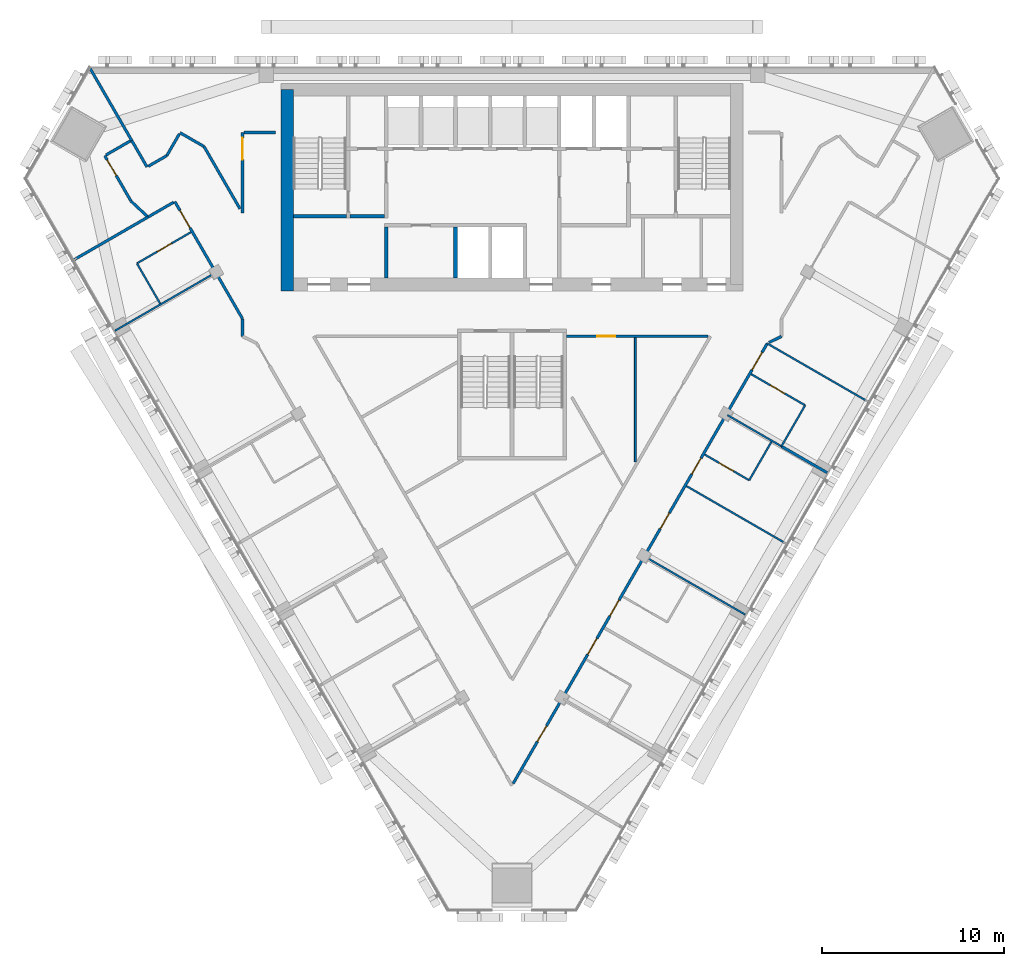
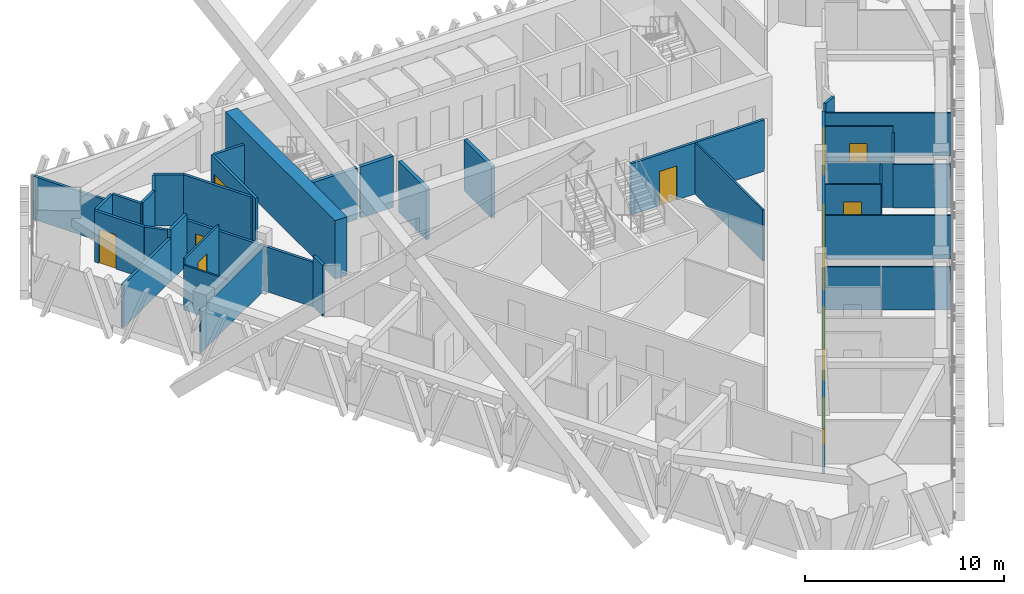
# One storey, part 12 of 18: 36 walls, 13 doors, 13 openings.
"""IFC4 building model written with IfcOpenShell, lengths in metres."""

from ifc_helpers import new_model, si_unit, direction, frame, frame_2d, origin, place, context, subcontext, project, spatial, rectangle, extrude, material, layer, layer_set, type_object, element, fill, save


model = new_model("IFC4")

# Units and contexts
model_context = context("Model", 3, precision=1e-05, world=origin(), true_north=direction((0.0, 1.0)))
body_context = subcontext(model_context, "Body", "Model", "MODEL_VIEW")
ifc_project = project(units=[si_unit("LENGTHUNIT", "METRE"), si_unit("AREAUNIT", "SQUARE_METRE"), si_unit("VOLUMEUNIT", "CUBIC_METRE"), si_unit("PLANEANGLEUNIT", "RADIAN"), si_unit("MASSUNIT", "GRAM", prefix="KILO")], contexts=[model_context])

# Site, building, storey
site_placement = place(None, origin())
site = spatial("IfcSite", under=ifc_project, at=site_placement, CompositionType="ELEMENT")
building_placement = place(site_placement, origin())
building = spatial("IfcBuilding", under=site, at=building_placement, Name="Altiplano Prism Tower", CompositionType="ELEMENT")
storey_placement = place(building_placement, frame((0.0, 0.0, 163.800048828125)))
storey = spatial("IfcBuildingStorey", under=building, at=storey_placement, Name="L42", CompositionType="ELEMENT", Elevation=163.800048828125)

# Walls
ifc_material_1 = material(Name="Concrete C60/75", Category="concrete")
ifc_layer_1 = layer(ifc_material_1, 0.699951171875)
ifc_layer_set_1 = layer_set([ifc_layer_1], Name="Concrete C60/75")
wall_type_1 = type_object("IfcWallType", Name="Core wall 700", PredefinedType="SHEAR", material=ifc_layer_set_1)
wall_1_placement = place(storey_placement, frame((72.64990234375, 103.75, 0.0), z_axis=(0.0, 0.0, 1.0), x_axis=(0.0, -1.0, 0.0)))
element("IfcWall", 1, at=wall_1_placement, inside=storey, type_object=wall_type_1, Name="Core wall W L42", PredefinedType="SHEAR", context=body_context, shape_type="SweptSolid", body=[
    extrude(rectangle(XDim=11.050048828125, YDim=0.699951171875, at=frame_2d((5.52490234375, 0.0))), origin(), (0.0, 0.0, 1.0), 3.599853515625),
])
ifc_material_2 = material(Name="Plasterboard on steel stud", Category="steel")
ifc_layer_2 = layer(ifc_material_2, 0.10009765625)
ifc_layer_set_2 = layer_set([ifc_layer_2], Name="Plasterboard on steel stud")
wall_type_2 = type_object("IfcWallType", Name="Partition 100 unit", PredefinedType="PARTITIONING", material=ifc_layer_set_2)
wall_2_placement = place(storey_placement, frame((65.676025390625, 91.99951171875, 0.0), z_axis=(0.0, 0.0, 1.0), x_axis=(-0.499990435942, 0.866030925526, 0.0)))
element("IfcWall", 2, at=wall_2_placement, inside=storey, type_object=wall_type_2, Name="Partition P02 L42 045", PredefinedType="PARTITIONING", context=body_context, shape_type="SweptSolid", body=[
    extrude(rectangle(XDim=2.5498046875, YDim=0.10009765625, at=frame_2d((1.27490234375, 0.0))), origin(), (0.0, 0.0, 1.0), 2.75),
])

# Wall, opening, door
wall_3_placement = place(storey_placement, frame((64.401123046875, 94.207763671875, 0.0), z_axis=(0.0, 0.0, 1.0), x_axis=(0.866032454348, 0.499987787867, 0.0)))
wall_3 = element("IfcWall", 3, at=wall_3_placement, inside=storey, type_object=wall_type_2, Name="Partition P02 L42 046", PredefinedType="PARTITIONING", context=body_context, shape_type="SweptSolid", body=[
    extrude(rectangle(XDim=3.4248046875, YDim=0.10009765625, at=frame_2d((1.71240234375, 0.0))), origin(), (0.0, 0.0, 1.0), 3.14990234375),
])
opening_1_placement = place(wall_3_placement, frame((1.300048828125, 0.0, 0.0)))
opening_1 = element("IfcOpeningElement", 4, at=opening_1_placement, cuts=wall_3, Name="Opening D1481", PredefinedType="OPENING", context=body_context, shape_type="SweptSolid", body=[
    extrude(rectangle(XDim=0.89990234375, YDim=2.10009765625, at=frame_2d((0.449951171875, 1.050048828125))), frame((0.0, 0.060546875, 0.0), z_axis=(0.0, -1.0, 0.0), x_axis=(1.0, 0.0, 0.0)), (0.0, 0.0, 1.0), 0.12109375),
])
ifc_material_3 = material(Name="Timber", Category="wood")
door_type_1 = type_object("IfcDoorType", Name="Accessible ensuite door 900 x 2100", OperationType="NOTDEFINED", PredefinedType="NOTDEFINED", material=ifc_material_3)
door_1_placement = place(opening_1_placement, origin())
door_1 = element("IfcDoor", 5, at=door_1_placement, inside=storey, type_object=door_type_1, Name="Door D1481", OperationType="SINGLE_SWING_RIGHT", OverallHeight=2.10009765625, OverallWidth=0.89990234375, PredefinedType="NOTDEFINED", context=body_context, shape_type="SweptSolid", body=[
    extrude(rectangle(XDim=0.89990234375, YDim=2.10009765625, at=frame_2d((0.449951171875, 1.050048828125))), frame((0.0, 0.02490234375, 0.0), z_axis=(0.0, -1.0, 0.0), x_axis=(1.0, 0.0, 0.0)), (0.0, 0.0, 1.0), 0.050048828125),
])
fill(opening_1, door_1)

# Wall
wall_4_placement = place(storey_placement, frame((99.254150390625, 84.41845703125, 0.0), z_axis=(0.0, 0.0, 1.0), x_axis=(-0.499987006516, -0.866032905446, 0.0)))
element("IfcWall", 6, at=wall_4_placement, inside=storey, type_object=wall_type_2, Name="Partition P02 L42 071", PredefinedType="PARTITIONING", context=body_context, shape_type="SweptSolid", body=[
    extrude(rectangle(XDim=2.44970703125, YDim=0.10009765625, at=frame_2d((1.224853515625, 0.0))), origin(), (0.0, 0.0, 1.0), 2.75),
])

# Wall, opening, door
wall_5_placement = place(storey_placement, frame((98.029296875, 82.296875, 0.0), z_axis=(0.0, 0.0, 1.0), x_axis=(-0.866048868473, 0.499959355765, 0.0)))
wall_5 = element("IfcWall", 7, at=wall_5_placement, inside=storey, type_object=wall_type_2, Name="Partition P02 L42 072", PredefinedType="PARTITIONING", context=body_context, shape_type="SweptSolid", body=[
    extrude(rectangle(XDim=2.824951171875, YDim=0.10009765625, at=frame_2d((1.41259765625, 0.0))), origin(), (0.0, 0.0, 1.0), 3.14990234375),
])
opening_2_placement = place(wall_5_placement, frame((1.0, 0.0, 0.0)))
opening_2 = element("IfcOpeningElement", 8, at=opening_2_placement, cuts=wall_5, Name="Opening D1498", PredefinedType="OPENING", context=body_context, shape_type="SweptSolid", body=[
    extrude(rectangle(XDim=0.89990234375, YDim=2.10009765625, at=frame_2d((0.449951171875, 1.050048828125))), frame((0.0, 0.060546875, 0.0), z_axis=(0.0, -1.0, 0.0), x_axis=(1.0, 0.0, 0.0)), (0.0, 0.0, 1.0), 0.12109375),
])
door_type_2 = type_object("IfcDoorType", Name="Ensuite door 900 x 2100", OperationType="NOTDEFINED", PredefinedType="NOTDEFINED", material=ifc_material_3)
door_2_placement = place(opening_2_placement, origin())
door_2 = element("IfcDoor", 9, at=door_2_placement, inside=storey, type_object=door_type_2, Name="Door D1498", OperationType="SINGLE_SWING_RIGHT", OverallHeight=2.10009765625, OverallWidth=0.89990234375, PredefinedType="NOTDEFINED", context=body_context, shape_type="SweptSolid", body=[
    extrude(rectangle(XDim=0.89990234375, YDim=2.10009765625, at=frame_2d((0.449951171875, 1.050048828125))), frame((0.0, 0.02490234375, 0.0), z_axis=(0.0, -1.0, 0.0), x_axis=(1.0, 0.0, 0.0)), (0.0, 0.0, 1.0), 0.050048828125),
])
fill(opening_2, door_2)

wall_6_placement = place(storey_placement, frame((98.1328125, 88.1259765625, 0.0), z_axis=(0.0, 0.0, 1.0), x_axis=(0.866032454348, -0.499987787867, 0.0)))
wall_6 = element("IfcWall", 10, at=wall_6_placement, inside=storey, type_object=wall_type_2, Name="Partition P02 L42 075", PredefinedType="PARTITIONING", context=body_context, shape_type="SweptSolid", body=[
    extrude(rectangle(XDim=3.4248046875, YDim=0.10009765625, at=frame_2d((1.71240234375, 0.0))), origin(), (0.0, 0.0, 1.0), 3.14990234375),
])
opening_3_placement = place(wall_6_placement, frame((1.22509765625, 0.0, 0.0)))
opening_3 = element("IfcOpeningElement", 11, at=opening_3_placement, cuts=wall_6, Name="Opening D1500", PredefinedType="OPENING", context=body_context, shape_type="SweptSolid", body=[
    extrude(rectangle(XDim=0.89990234375, YDim=2.10009765625, at=frame_2d((0.449951171875, 1.050048828125))), frame((0.0, 0.060546875, 0.0), z_axis=(0.0, -1.0, 0.0), x_axis=(1.0, 0.0, 0.0)), (0.0, 0.0, 1.0), 0.12109375),
])
door_3_placement = place(opening_3_placement, origin())
door_3 = element("IfcDoor", 12, at=door_3_placement, inside=storey, type_object=door_type_1, Name="Door D1500", OperationType="SINGLE_SWING_LEFT", OverallHeight=2.10009765625, OverallWidth=0.89990234375, PredefinedType="NOTDEFINED", context=body_context, shape_type="SweptSolid", body=[
    extrude(rectangle(XDim=0.89990234375, YDim=2.10009765625, at=frame_2d((0.449951171875, 1.050048828125))), frame((0.0, 0.02490234375, 0.0), z_axis=(0.0, -1.0, 0.0), x_axis=(1.0, 0.0, 0.0)), (0.0, 0.0, 1.0), 0.050048828125),
])
fill(opening_3, door_3)

# Walls
wall_7_placement = place(storey_placement, frame((101.098876953125, 86.41357421875, 0.0), z_axis=(0.0, 0.0, 1.0), x_axis=(-0.500006934395, -0.866021400173, 0.0)))
element("IfcWall", 13, at=wall_7_placement, inside=storey, type_object=wall_type_2, Name="Partition P02 L42 076", PredefinedType="PARTITIONING", context=body_context, shape_type="SweptSolid", body=[
    extrude(rectangle(XDim=2.60009765625, YDim=0.10009765625, at=frame_2d((1.300048828125, 0.0))), origin(), (0.0, 0.0, 1.0), 2.75),
])
ifc_layer_3 = layer(ifc_material_2, 0.10009765625)
ifc_layer_set_3 = layer_set([ifc_layer_3], Name="Plasterboard on steel stud")
wall_type_3 = type_object("IfcWallType", Name="Partition 100 wet", PredefinedType="PARTITIONING", material=ifc_layer_set_3)
wall_8_placement = place(storey_placement, frame((91.776611328125, 90.125, 0.0), z_axis=(0.0, 0.0, 1.0), x_axis=(0.0, -1.0, 0.0)))
element("IfcWall", 14, at=wall_8_placement, inside=storey, type_object=wall_type_3, Name="Partition P03 L42 035", PredefinedType="PARTITIONING", context=body_context, shape_type="SweptSolid", body=[
    extrude(rectangle(XDim=6.821533203125, YDim=0.10009765625, at=frame_2d((3.41064453125, 0.0))), origin(), (0.0, 0.0, 1.0), 3.14990234375),
])
for number, where, z_axis, x_axis, name in (
    (15, (63.189697265625, 90.506103515625, 0.0), (0.0, 0.0, 1.0), (0.866015887322, 0.500016482634, 0.0), "Partition P03 L42 047"),
    (16, (97.810302734375, 74.917724609375, 0.0), (0.0, 0.0, 1.0), (-0.866032601554, 0.49998753289, 0.0), "Partition P03 L42 069"),
):
    element("IfcWall", number, at=place(storey_placement, frame(where, z_axis=z_axis, x_axis=x_axis)), inside=storey, type_object=wall_type_3, Name=name, PredefinedType="PARTITIONING", context=body_context, shape_type="SweptSolid", body=[
        extrude(rectangle(XDim=6.324951171875, YDim=0.10009765625, at=frame_2d((3.16259765625, 0.0))), origin(), (0.0, 0.0, 1.0), 2.64990234375),
    ])
wall_9_placement = place(storey_placement, frame((100.077880859375, 78.8046875, 0.0), z_axis=(0.0, 0.0, 1.0), x_axis=(-0.866025401434, 0.500000004071, 0.0)))
element("IfcWall", 17, at=wall_9_placement, inside=storey, type_object=wall_type_3, Name="Partition P03 L42 070", PredefinedType="PARTITIONING", context=body_context, shape_type="SweptSolid", body=[
    extrude(rectangle(XDim=6.34521484375, YDim=0.10009765625, at=frame_2d((3.172607421875, 0.0))), origin(), (0.0, 0.0, 1.0), 2.64990234375),
])
wall_10_placement = place(storey_placement, frame((99.798828125, 84.161865234375, 0.0), z_axis=(0.0, 0.0, 1.0), x_axis=(-0.866032454348, 0.499987787867, 0.0)))
element("IfcWall", 18, at=wall_10_placement, inside=storey, type_object=wall_type_3, Name="Partition P03 L42 074", PredefinedType="PARTITIONING", context=body_context, shape_type="SweptSolid", body=[
    extrude(rectangle(XDim=3.4248046875, YDim=0.10009765625, at=frame_2d((1.71240234375, 0.0))), origin(), (0.0, 0.0, 1.0), 2.75),
])
wall_11_placement = place(storey_placement, frame((104.577880859375, 86.598876953125, 0.0), z_axis=(0.0, 0.0, 1.0), x_axis=(-0.866018406147, 0.500012120068, 0.0)))
element("IfcWall", 19, at=wall_11_placement, inside=storey, type_object=wall_type_3, Name="Partition P03 L42 077", PredefinedType="PARTITIONING", context=body_context, shape_type="SweptSolid", body=[
    extrude(rectangle(XDim=6.420166015625, YDim=0.10009765625, at=frame_2d((3.2099609375, 0.0))), origin(), (0.0, 0.0, 1.0), 2.64990234375),
])

# Wall, opening, door
ifc_layer_4 = layer(ifc_material_2, 0.14990234375)
ifc_layer_set_4 = layer_set([ifc_layer_4], Name="Plasterboard on steel stud")
wall_type_4 = type_object("IfcWallType", Name="Partition 150 corridor", PredefinedType="PARTITIONING", material=ifc_layer_set_4)
wall_12_placement = place(storey_placement, frame((88.0, 90.199951171875, 0.0), z_axis=(0.0, 0.0, 1.0), x_axis=(1.0, 0.0, 0.0)))
wall_12 = element("IfcWall", 20, at=wall_12_placement, inside=storey, type_object=wall_type_4, Name="Partition P06 L42 001", PredefinedType="PARTITIONING", context=body_context, shape_type="SweptSolid", body=[
    extrude(rectangle(XDim=7.764892578125, YDim=0.14990234375, at=frame_2d((3.88232421875, 0.0))), origin(), (0.0, 0.0, 1.0), 3.14990234375),
])
opening_4_placement = place(wall_12_placement, frame((1.674072265625, 0.0, 0.0)))
opening_4 = element("IfcOpeningElement", 21, at=opening_4_placement, cuts=wall_12, Name="Opening D1477", PredefinedType="OPENING", context=body_context, shape_type="SweptSolid", body=[
    extrude(rectangle(XDim=1.0, YDim=2.10009765625, at=frame_2d((0.5, 1.050048828125))), frame((0.0, 0.08544921875, 0.0), z_axis=(0.0, -1.0, 0.0), x_axis=(1.0, 0.0, 0.0)), (0.0, 0.0, 1.0), 0.1708984375),
])
door_type_3 = type_object("IfcDoorType", Name="Store door 1000 x 2100", OperationType="NOTDEFINED", PredefinedType="NOTDEFINED", material=ifc_material_3)
door_4_placement = place(opening_4_placement, origin())
door_4 = element("IfcDoor", 22, at=door_4_placement, inside=storey, type_object=door_type_3, Name="Door D1477", OperationType="SINGLE_SWING_LEFT", OverallHeight=2.10009765625, OverallWidth=1.0, PredefinedType="NOTDEFINED", context=body_context, shape_type="SweptSolid", body=[
    extrude(rectangle(XDim=1.0, YDim=2.10009765625, at=frame_2d((0.5, 1.050048828125))), frame((0.0, 0.02490234375, 0.0), z_axis=(0.0, -1.0, 0.0), x_axis=(1.0, 0.0, 0.0)), (0.0, 0.0, 1.0), 0.050048828125),
])
fill(opening_4, door_4)

# Wall
wall_13_placement = place(storey_placement, frame((64.041748046875, 100.934814453125, 0.0), z_axis=(0.0, 0.0, 1.0), x_axis=(-0.865975732936, -0.500086022567, 0.0)))
element("IfcWall", 23, at=wall_13_placement, inside=storey, type_object=wall_type_4, Name="Partition P06 L42 005", PredefinedType="PARTITIONING", context=body_context, shape_type="SweptSolid", body=[
    extrude(rectangle(XDim=1.550048828125, YDim=0.14990234375, at=frame_2d((0.77490234375, 0.0))), origin(), (0.0, 0.0, 1.0), 3.14990234375),
])

# Wall, opening, door
wall_14_placement = place(storey_placement, frame((62.634521484375, 100.122314453125, 0.0), z_axis=(0.0, 0.0, 1.0), x_axis=(0.499986626058, -0.866033125095, 0.0)))
wall_14 = element("IfcWall", 24, at=wall_14_placement, inside=storey, type_object=wall_type_4, Name="Partition P06 L42 006", PredefinedType="PARTITIONING", context=body_context, shape_type="SweptSolid", body=[
    extrude(rectangle(XDim=2.8798828125, YDim=0.14990234375, at=frame_2d((1.43994140625, 0.0))), origin(), (0.0, 0.0, 1.0), 3.14990234375),
])
opening_5_placement = place(wall_14_placement, frame((0.263916015625, 0.0, 0.0)))
opening_5 = element("IfcOpeningElement", 25, at=opening_5_placement, cuts=wall_14, Name="Opening D1479", PredefinedType="OPENING", context=body_context, shape_type="SweptSolid", body=[
    extrude(rectangle(XDim=1.0, YDim=2.10009765625, at=frame_2d((0.5, 1.050048828125))), frame((0.0, 0.08544921875, 0.0), z_axis=(0.0, -1.0, 0.0), x_axis=(1.0, 0.0, 0.0)), (0.0, 0.0, 1.0), 0.1708984375),
])
door_type_4 = type_object("IfcDoorType", Name="Room door 1000 x 2100", OperationType="NOTDEFINED", PredefinedType="NOTDEFINED", material=ifc_material_3)
door_5_placement = place(opening_5_placement, origin())
door_5 = element("IfcDoor", 26, at=door_5_placement, inside=storey, type_object=door_type_4, Name="Door D1479", OperationType="SINGLE_SWING_LEFT", OverallHeight=2.10009765625, OverallWidth=1.0, PredefinedType="NOTDEFINED", context=body_context, shape_type="SweptSolid", body=[
    extrude(rectangle(XDim=1.0, YDim=2.10009765625, at=frame_2d((0.5, 1.050048828125))), frame((0.0, 0.02490234375, 0.0), z_axis=(0.0, -1.0, 0.0), x_axis=(1.0, 0.0, 0.0)), (0.0, 0.0, 1.0), 0.050048828125),
])
fill(opening_5, door_5)

# Walls
wall_15_placement = place(storey_placement, frame((64.074462890625, 97.628173828125, 0.0), z_axis=(0.0, 0.0, 1.0), x_axis=(0.730353054174, -0.683069847277, 0.0)))
element("IfcWall", 27, at=wall_15_placement, inside=storey, type_object=wall_type_4, Name="Partition P06 L42 007", PredefinedType="PARTITIONING", context=body_context, shape_type="SweptSolid", body=[
    extrude(rectangle(XDim=1.203125, YDim=0.14990234375, at=frame_2d((0.6015625, 0.0))), origin(), (0.0, 0.0, 1.0), 3.14990234375),
])
wall_16_placement = place(storey_placement, frame((65.02734375, 96.76318359375, 0.0), z_axis=(0.0, 0.0, 1.0), x_axis=(0.866015857963, 0.500016533484, 0.0)))
element("IfcWall", 28, at=wall_16_placement, inside=storey, type_object=wall_type_4, Name="Partition P06 L42 008", PredefinedType="PARTITIONING", context=body_context, shape_type="SweptSolid", body=[
    extrude(rectangle(XDim=1.60498046875, YDim=0.14990234375, at=frame_2d((0.802490234375, 0.0))), origin(), (0.0, 0.0, 1.0), 3.14990234375),
])

# Wall, opening, door
wall_17_placement = place(storey_placement, frame((66.482177734375, 97.603271484375, 0.0), z_axis=(0.0, 0.0, 1.0), x_axis=(0.499995303914, -0.866028115054, 0.0)))
wall_17 = element("IfcWall", 29, at=wall_17_placement, inside=storey, type_object=wall_type_4, Name="Partition P06 L42 009", PredefinedType="PARTITIONING", context=body_context, shape_type="SweptSolid", body=[
    extrude(rectangle(XDim=7.435546875, YDim=0.14990234375, at=frame_2d((3.7177734375, 0.0))), origin(), (0.0, 0.0, 1.0), 2.75),
])
opening_6_placement = place(wall_17_placement, frame((0.571044921875, 0.0, 0.0)))
opening_6 = element("IfcOpeningElement", 30, at=opening_6_placement, cuts=wall_17, Name="Opening D1480", PredefinedType="OPENING", context=body_context, shape_type="SweptSolid", body=[
    extrude(rectangle(XDim=1.10009765625, YDim=2.10009765625, at=frame_2d((0.550048828125, 1.050048828125))), frame((0.0, 0.08544921875, 0.0), z_axis=(0.0, -1.0, 0.0), x_axis=(1.0, 0.0, 0.0)), (0.0, 0.0, 1.0), 0.1708984375),
])
door_type_5 = type_object("IfcDoorType", Name="Accessible bedroom door 1100 x 2100", OperationType="NOTDEFINED", PredefinedType="NOTDEFINED", material=ifc_material_3)
door_6_placement = place(opening_6_placement, origin())
door_6 = element("IfcDoor", 31, at=door_6_placement, inside=storey, type_object=door_type_5, Name="Door D1480", OperationType="SINGLE_SWING_LEFT", OverallHeight=2.10009765625, OverallWidth=1.10009765625, PredefinedType="NOTDEFINED", context=body_context, shape_type="SweptSolid", body=[
    extrude(rectangle(XDim=1.10009765625, YDim=2.10009765625, at=frame_2d((0.550048828125, 1.050048828125))), frame((0.0, 0.02490234375, 0.0), z_axis=(0.0, -1.0, 0.0), x_axis=(1.0, 0.0, 0.0)), (0.0, 0.0, 1.0), 0.050048828125),
])
fill(opening_6, door_6)

# Wall
wall_18_placement = place(storey_placement, frame((70.199951171875, 91.163818359375, 0.0), z_axis=(0.0, 0.0, 1.0), x_axis=(0.0, -1.0, 0.0)))
element("IfcWall", 32, at=wall_18_placement, inside=storey, type_object=wall_type_4, Name="Partition P06 L42 010", PredefinedType="PARTITIONING", context=body_context, shape_type="SweptSolid", body=[
    extrude(rectangle(XDim=0.9638671875, YDim=0.14990234375, at=frame_2d((0.48193359375, 0.0))), origin(), (0.0, 0.0, 1.0), 3.14990234375),
])

# Wall, openings, doors
wall_19_placement = place(storey_placement, frame((85.06494140625, 65.64208984375, 0.0), z_axis=(0.0, 0.0, 1.0), x_axis=(0.500001650589, 0.866024450814, 0.0)))
wall_19 = element("IfcWall", 33, at=wall_19_placement, inside=storey, type_object=wall_type_4, Name="Partition P06 L42 013", PredefinedType="PARTITIONING", context=body_context, shape_type="SweptSolid", body=[
    extrude(rectangle(XDim=27.90576171875, YDim=0.14990234375, at=frame_2d((13.952880859375, 0.0))), origin(), (0.0, 0.0, 1.0), 2.75),
])
opening_7_placement = place(wall_19_placement, frame((2.656005859375, 0.0, 0.0)))
opening_7 = element("IfcOpeningElement", 34, at=opening_7_placement, cuts=wall_19, Name="Opening D1491", PredefinedType="OPENING", context=body_context, shape_type="SweptSolid", body=[
    extrude(rectangle(XDim=1.0, YDim=2.10009765625, at=frame_2d((0.5, 1.050048828125))), frame((0.0, 0.08544921875, 0.0), z_axis=(0.0, -1.0, 0.0), x_axis=(1.0, 0.0, 0.0)), (0.0, 0.0, 1.0), 0.1708984375),
])
opening_8_placement = place(wall_19_placement, frame((8.18505859375, 0.0, 0.0)))
opening_8 = element("IfcOpeningElement", 35, at=opening_8_placement, cuts=wall_19, Name="Opening D1492", PredefinedType="OPENING", context=body_context, shape_type="SweptSolid", body=[
    extrude(rectangle(XDim=1.0, YDim=2.10009765625, at=frame_2d((0.5, 1.050048828125))), frame((0.0, 0.08544921875, 0.0), z_axis=(0.0, -1.0, 0.0), x_axis=(1.0, 0.0, 0.0)), (0.0, 0.0, 1.0), 0.1708984375),
])
opening_9_placement = place(wall_19_placement, frame((10.6259765625, 0.0, 0.0)))
opening_9 = element("IfcOpeningElement", 36, at=opening_9_placement, cuts=wall_19, Name="Opening D1494", PredefinedType="OPENING", context=body_context, shape_type="SweptSolid", body=[
    extrude(rectangle(XDim=1.0, YDim=2.10009765625, at=frame_2d((0.5, 1.050048828125))), frame((0.0, 0.08544921875, 0.0), z_axis=(0.0, -1.0, 0.0), x_axis=(1.0, 0.0, 0.0)), (0.0, 0.0, 1.0), 0.1708984375),
])
opening_10_placement = place(wall_19_placement, frame((16.156005859375, 0.0, 0.0)))
opening_10 = element("IfcOpeningElement", 37, at=opening_10_placement, cuts=wall_19, Name="Opening D1496", PredefinedType="OPENING", context=body_context, shape_type="SweptSolid", body=[
    extrude(rectangle(XDim=1.0, YDim=2.10009765625, at=frame_2d((0.5, 1.050048828125))), frame((0.0, 0.08544921875, 0.0), z_axis=(0.0, -1.0, 0.0), x_axis=(1.0, 0.0, 0.0)), (0.0, 0.0, 1.0), 0.1708984375),
])
opening_11_placement = place(wall_19_placement, frame((19.6259765625, 0.0, 0.0)))
opening_11 = element("IfcOpeningElement", 38, at=opening_11_placement, cuts=wall_19, Name="Opening D1497", PredefinedType="OPENING", context=body_context, shape_type="SweptSolid", body=[
    extrude(rectangle(XDim=1.0, YDim=2.10009765625, at=frame_2d((0.5, 1.050048828125))), frame((0.0, 0.08544921875, 0.0), z_axis=(0.0, -1.0, 0.0), x_axis=(1.0, 0.0, 0.0)), (0.0, 0.0, 1.0), 0.1708984375),
])
opening_12_placement = place(wall_19_placement, frame((26.235107421875, 0.0, 0.0)))
opening_12 = element("IfcOpeningElement", 39, at=opening_12_placement, cuts=wall_19, Name="Opening D1499", PredefinedType="OPENING", context=body_context, shape_type="SweptSolid", body=[
    extrude(rectangle(XDim=1.10009765625, YDim=2.10009765625, at=frame_2d((0.550048828125, 1.050048828125))), frame((0.0, 0.08544921875, 0.0), z_axis=(0.0, -1.0, 0.0), x_axis=(1.0, 0.0, 0.0)), (0.0, 0.0, 1.0), 0.1708984375),
])
door_7_placement = place(opening_12_placement, origin())
door_7 = element("IfcDoor", 40, at=door_7_placement, inside=storey, type_object=door_type_5, Name="Door D1499", OperationType="SINGLE_SWING_RIGHT", OverallHeight=2.10009765625, OverallWidth=1.10009765625, PredefinedType="NOTDEFINED", context=body_context, shape_type="SweptSolid", body=[
    extrude(rectangle(XDim=1.10009765625, YDim=2.10009765625, at=frame_2d((0.550048828125, 1.050048828125))), frame((0.0, 0.02490234375, 0.0), z_axis=(0.0, -1.0, 0.0), x_axis=(1.0, 0.0, 0.0)), (0.0, 0.0, 1.0), 0.050048828125),
])
fill(opening_12, door_7)
door_type_6 = type_object("IfcDoorType", Name="Bedroom entrance door 1000 x 2100", OperationType="NOTDEFINED", PredefinedType="NOTDEFINED", material=ifc_material_3)
door_8_placement = place(opening_8_placement, origin())
door_8 = element("IfcDoor", 41, at=door_8_placement, inside=storey, type_object=door_type_6, Name="Door D1492", OperationType="SINGLE_SWING_LEFT", OverallHeight=2.10009765625, OverallWidth=1.0, PredefinedType="NOTDEFINED", context=body_context, shape_type="SweptSolid", body=[
    extrude(rectangle(XDim=1.0, YDim=2.10009765625, at=frame_2d((0.5, 1.050048828125))), frame((0.0, 0.02490234375, 0.0), z_axis=(0.0, -1.0, 0.0), x_axis=(1.0, 0.0, 0.0)), (0.0, 0.0, 1.0), 0.050048828125),
])
fill(opening_8, door_8)
door_9_placement = place(opening_9_placement, origin())
door_9 = element("IfcDoor", 42, at=door_9_placement, inside=storey, type_object=door_type_6, Name="Door D1494", OperationType="SINGLE_SWING_LEFT", OverallHeight=2.10009765625, OverallWidth=1.0, PredefinedType="NOTDEFINED", context=body_context, shape_type="SweptSolid", body=[
    extrude(rectangle(XDim=1.0, YDim=2.10009765625, at=frame_2d((0.5, 1.050048828125))), frame((0.0, 0.02490234375, 0.0), z_axis=(0.0, -1.0, 0.0), x_axis=(1.0, 0.0, 0.0)), (0.0, 0.0, 1.0), 0.050048828125),
])
fill(opening_9, door_9)
door_10_placement = place(opening_11_placement, origin())
door_10 = element("IfcDoor", 43, at=door_10_placement, inside=storey, type_object=door_type_6, Name="Door D1497", OperationType="SINGLE_SWING_LEFT", OverallHeight=2.10009765625, OverallWidth=1.0, PredefinedType="NOTDEFINED", context=body_context, shape_type="SweptSolid", body=[
    extrude(rectangle(XDim=1.0, YDim=2.10009765625, at=frame_2d((0.5, 1.050048828125))), frame((0.0, 0.02490234375, 0.0), z_axis=(0.0, -1.0, 0.0), x_axis=(1.0, 0.0, 0.0)), (0.0, 0.0, 1.0), 0.050048828125),
])
fill(opening_11, door_10)
door_11_placement = place(opening_7_placement, origin())
door_11 = element("IfcDoor", 44, at=door_11_placement, inside=storey, type_object=door_type_4, Name="Door D1491", OperationType="SINGLE_SWING_RIGHT", OverallHeight=2.10009765625, OverallWidth=1.0, PredefinedType="NOTDEFINED", context=body_context, shape_type="SweptSolid", body=[
    extrude(rectangle(XDim=1.0, YDim=2.10009765625, at=frame_2d((0.5, 1.050048828125))), frame((0.0, 0.02490234375, 0.0), z_axis=(0.0, -1.0, 0.0), x_axis=(1.0, 0.0, 0.0)), (0.0, 0.0, 1.0), 0.050048828125),
])
fill(opening_7, door_11)
door_12_placement = place(opening_10_placement, origin())
door_12 = element("IfcDoor", 45, at=door_12_placement, inside=storey, type_object=door_type_4, Name="Door D1496", OperationType="SINGLE_SWING_RIGHT", OverallHeight=2.10009765625, OverallWidth=1.0, PredefinedType="NOTDEFINED", context=body_context, shape_type="SweptSolid", body=[
    extrude(rectangle(XDim=1.0, YDim=2.10009765625, at=frame_2d((0.5, 1.050048828125))), frame((0.0, 0.02490234375, 0.0), z_axis=(0.0, -1.0, 0.0), x_axis=(1.0, 0.0, 0.0)), (0.0, 0.0, 1.0), 0.050048828125),
])
fill(opening_10, door_12)

# Walls
wall_20_placement = place(storey_placement, frame((99.11572265625, 89.85791015625, 0.0), z_axis=(0.0, 0.0, 1.0), x_axis=(0.894491005723, 0.447085943282, 0.0)))
element("IfcWall", 46, at=wall_20_placement, inside=storey, type_object=wall_type_4, Name="Partition P06 L42 014", PredefinedType="PARTITIONING", context=body_context, shape_type="SweptSolid", body=[
    extrude(rectangle(XDim=0.76513671875, YDim=0.14990234375, at=frame_2d((0.382568359375, 0.0))), origin(), (0.0, 0.0, 1.0), 3.14990234375),
])
wall_21_placement = place(storey_placement, frame((72.0, 101.39990234375, 0.0), z_axis=(0.0, 0.0, 1.0), x_axis=(-1.0, 0.0, 0.0)))
element("IfcWall", 47, at=wall_21_placement, inside=storey, type_object=wall_type_4, Name="Partition P06 L42 021", PredefinedType="PARTITIONING", context=body_context, shape_type="SweptSolid", body=[
    extrude(rectangle(XDim=1.72509765625, YDim=0.14990234375, at=frame_2d((0.862548828125, 0.0))), origin(), (0.0, 0.0, 1.0), 3.14990234375),
])

# Wall, opening, door
wall_22_placement = place(storey_placement, frame((70.199951171875, 101.39990234375, 0.0), z_axis=(0.0, 0.0, 1.0), x_axis=(0.0, -1.0, 0.0)))
wall_22 = element("IfcWall", 48, at=wall_22_placement, inside=storey, type_object=wall_type_4, Name="Partition P06 L42 022", PredefinedType="PARTITIONING", context=body_context, shape_type="SweptSolid", body=[
    extrude(rectangle(XDim=4.43603515625, YDim=0.14990234375, at=frame_2d((2.218017578125, 0.0))), origin(), (0.0, 0.0, 1.0), 3.14990234375),
])
opening_13_placement = place(wall_22_placement, frame((0.294921875, 0.0, 0.0)))
opening_13 = element("IfcOpeningElement", 49, at=opening_13_placement, cuts=wall_22, Name="Opening D1503", PredefinedType="OPENING", context=body_context, shape_type="SweptSolid", body=[
    extrude(rectangle(XDim=1.199951171875, YDim=2.10009765625, at=frame_2d((0.60009765625, 1.050048828125))), frame((0.0, 0.08544921875, 0.0), z_axis=(0.0, -1.0, 0.0), x_axis=(1.0, 0.0, 0.0)), (0.0, 0.0, 1.0), 0.1708984375),
])
door_type_7 = type_object("IfcDoorType", Name="Shared room door 1200 x 2100", OperationType="NOTDEFINED", PredefinedType="NOTDEFINED", material=ifc_material_3)
door_13_placement = place(opening_13_placement, origin())
door_13 = element("IfcDoor", 50, at=door_13_placement, inside=storey, type_object=door_type_7, Name="Door D1503", OperationType="SINGLE_SWING_RIGHT", OverallHeight=2.10009765625, OverallWidth=1.199951171875, PredefinedType="NOTDEFINED", context=body_context, shape_type="SweptSolid", body=[
    extrude(rectangle(XDim=1.199951171875, YDim=2.10009765625, at=frame_2d((0.60009765625, 1.050048828125))), frame((0.0, 0.02490234375, 0.0), z_axis=(0.0, -1.0, 0.0), x_axis=(1.0, 0.0, 0.0)), (0.0, 0.0, 1.0), 0.050048828125),
])
fill(opening_13, door_13)

# Walls
wall_23_placement = place(storey_placement, frame((70.06005859375, 97.206298828125, 0.0), z_axis=(0.0, 0.0, 1.0), x_axis=(-0.499999210213, 0.866025859768, 0.0)))
element("IfcWall", 51, at=wall_23_placement, inside=storey, type_object=wall_type_4, Name="Partition P06 L42 023", PredefinedType="PARTITIONING", context=body_context, shape_type="SweptSolid", body=[
    extrude(rectangle(XDim=3.9453125, YDim=0.14990234375, at=frame_2d((1.97265625, 0.0))), origin(), (0.0, 0.0, 1.0), 3.14990234375),
])
wall_24_placement = place(storey_placement, frame((68.08740234375, 100.623046875, 0.0), z_axis=(0.0, 0.0, 1.0), x_axis=(-0.866044067064, 0.499967672858, 0.0)))
element("IfcWall", 52, at=wall_24_placement, inside=storey, type_object=wall_type_4, Name="Partition P06 L42 024", PredefinedType="PARTITIONING", context=body_context, shape_type="SweptSolid", body=[
    extrude(rectangle(XDim=1.5224609375, YDim=0.14990234375, at=frame_2d((0.76123046875, 0.0))), origin(), (0.0, 0.0, 1.0), 3.14990234375),
])
wall_25_placement = place(storey_placement, frame((66.7314453125, 101.3193359375, 0.0), z_axis=(0.0, 0.0, 1.0), x_axis=(-0.499538027471, -0.866291959509, 0.0)))
element("IfcWall", 53, at=wall_25_placement, inside=storey, type_object=wall_type_4, Name="Partition P06 L42 025", PredefinedType="PARTITIONING", context=body_context, shape_type="SweptSolid", body=[
    extrude(rectangle(XDim=1.375244140625, YDim=0.14990234375, at=frame_2d((0.6875, 0.0))), origin(), (0.0, 0.0, 1.0), 3.14990234375),
])
wall_26_placement = place(storey_placement, frame((66.04443359375, 100.1279296875, 0.0), z_axis=(0.0, 0.0, 1.0), x_axis=(-0.866071977875, -0.499919322631, 0.0)))
element("IfcWall", 54, at=wall_26_placement, inside=storey, type_object=wall_type_4, Name="Partition P06 L42 026", PredefinedType="PARTITIONING", context=body_context, shape_type="SweptSolid", body=[
    extrude(rectangle(XDim=1.180908203125, YDim=0.14990234375, at=frame_2d((0.59033203125, 0.0))), origin(), (0.0, 0.0, 1.0), 3.14990234375),
])
wall_27_placement = place(storey_placement, frame((64.956787109375, 99.5, 0.0), z_axis=(0.0, 0.0, 1.0), x_axis=(-0.500062097304, 0.865989548921, 0.0)))
element("IfcWall", 55, at=wall_27_placement, inside=storey, type_object=wall_type_4, Name="Partition P06 L42 027", PredefinedType="PARTITIONING", context=body_context, shape_type="SweptSolid", body=[
    extrude(rectangle(XDim=1.679931640625, YDim=0.14990234375, at=frame_2d((0.83984375, 0.0))), origin(), (0.0, 0.0, 1.0), 3.14990234375),
])
ifc_layer_5 = layer(ifc_material_2, 0.14990234375)
ifc_layer_set_5 = layer_set([ifc_layer_5], Name="Plasterboard on steel stud")
wall_type_5 = type_object("IfcWallType", Name="Partition 150 party", PredefinedType="PARTITIONING", material=ifc_layer_set_5)
wall_28_placement = place(storey_placement, frame((60.922119140625, 94.39306640625, 0.0), z_axis=(0.0, 0.0, 1.0), x_axis=(0.866028632512, 0.499994407638, 0.0)))
element("IfcWall", 56, at=wall_28_placement, inside=storey, type_object=wall_type_5, Name="Partition P01 L42 043", PredefinedType="PARTITIONING", context=body_context, shape_type="SweptSolid", body=[
    extrude(rectangle(XDim=4.740234375, YDim=0.14990234375, at=frame_2d((2.3701171875, 0.0))), origin(), (0.0, 0.0, 1.0), 2.64990234375),
])
wall_29_placement = place(storey_placement, frame((64.11669921875, 100.954833984375, 0.0), z_axis=(0.0, 0.0, 1.0), x_axis=(-0.499983800959, 0.866034756103, 0.0)))
element("IfcWall", 57, at=wall_29_placement, inside=storey, type_object=wall_type_5, Name="Partition P01 L42 044", PredefinedType="PARTITIONING", context=body_context, shape_type="SweptSolid", body=[
    extrude(rectangle(XDim=4.555419921875, YDim=0.14990234375, at=frame_2d((2.27783203125, 0.0))), origin(), (0.0, 0.0, 1.0), 2.64990234375),
])
wall_30_placement = place(storey_placement, frame((102.310302734375, 82.7119140625, 0.0), z_axis=(0.0, 0.0, 1.0), x_axis=(-0.866032775405, 0.499987231761, 0.0)))
element("IfcWall", 58, at=wall_30_placement, inside=storey, type_object=wall_type_5, Name="Partition P01 L42 073", PredefinedType="PARTITIONING", context=body_context, shape_type="SweptSolid", body=[
    extrude(rectangle(XDim=2.89990234375, YDim=0.14990234375, at=frame_2d((1.449951171875, 0.0))), origin(), (0.0, 0.0, 1.0), 2.64990234375),
])
ifc_layer_6 = layer(ifc_material_1, 0.199951171875)
ifc_layer_set_6 = layer_set([ifc_layer_6], Name="Concrete C60/75")
wall_type_6 = type_object("IfcWallType", Name="Shaft wall 200", PredefinedType="SOLIDWALL", material=ifc_layer_set_6)
wall_31_placement = place(storey_placement, frame((81.89990234375, 93.39990234375, 0.0), z_axis=(0.0, 0.0, 1.0), x_axis=(0.0, 1.0, 0.0)))
element("IfcWall", 59, at=wall_31_placement, inside=storey, type_object=wall_type_6, Name="Shaft wall L42", PredefinedType="SOLIDWALL", context=body_context, shape_type="SweptSolid", body=[
    extrude(rectangle(XDim=2.800048828125, YDim=0.199951171875, at=frame_2d((1.39990234375, 0.0))), origin(), (0.0, 0.0, 1.0), 3.14990234375),
])
ifc_layer_7 = layer(ifc_material_1, 0.199951171875)
ifc_layer_set_7 = layer_set([ifc_layer_7], Name="Concrete C60/75")
wall_type_7 = type_object("IfcWallType", Name="Stair wall 200", PredefinedType="SOLIDWALL", material=ifc_layer_set_7)
wall_32_placement = place(storey_placement, frame((73.0, 96.800048828125, 0.0), z_axis=(0.0, 0.0, 1.0), x_axis=(1.0, 0.0, 0.0)))
element("IfcWall", 60, at=wall_32_placement, inside=storey, type_object=wall_type_7, Name="Stair wall L42", PredefinedType="SOLIDWALL", context=body_context, shape_type="SweptSolid", body=[
    extrude(rectangle(XDim=2.89990234375, YDim=0.199951171875, at=frame_2d((1.449951171875, 0.0))), origin(), (0.0, 0.0, 1.0), 3.14990234375),
])
ifc_layer_8 = layer(ifc_material_1, 0.199951171875)
ifc_layer_set_8 = layer_set([ifc_layer_8], Name="Concrete C60/75")
wall_type_8 = type_object("IfcWallType", Name="Vestibule wall 200", PredefinedType="PARTITIONING", material=ifc_layer_set_8)
wall_33_placement = place(storey_placement, frame((78.10009765625, 93.39990234375, 0.0), z_axis=(0.0, 0.0, 1.0), x_axis=(0.0, 1.0, 0.0)))
element("IfcWall", 61, at=wall_33_placement, inside=storey, type_object=wall_type_8, Name="Vestibule wall L42", PredefinedType="PARTITIONING", context=body_context, shape_type="SweptSolid", body=[
    extrude(rectangle(XDim=2.800048828125, YDim=0.199951171875, at=frame_2d((1.39990234375, 0.0))), origin(), (0.0, 0.0, 1.0), 3.14990234375),
])
wall_34_placement = place(storey_placement, frame((76.10009765625, 96.800048828125, 0.0), z_axis=(0.0, 0.0, 1.0), x_axis=(1.0, 0.0, 0.0)))
element("IfcWall", 62, at=wall_34_placement, inside=storey, type_object=wall_type_8, Name="Vestibule wall L42", PredefinedType="PARTITIONING", context=body_context, shape_type="SweptSolid", body=[
    extrude(rectangle(XDim=1.89990234375, YDim=0.199951171875, at=frame_2d((0.949951171875, 0.0))), origin(), (0.0, 0.0, 1.0), 3.14990234375),
])

save(model, "model.ifc")
